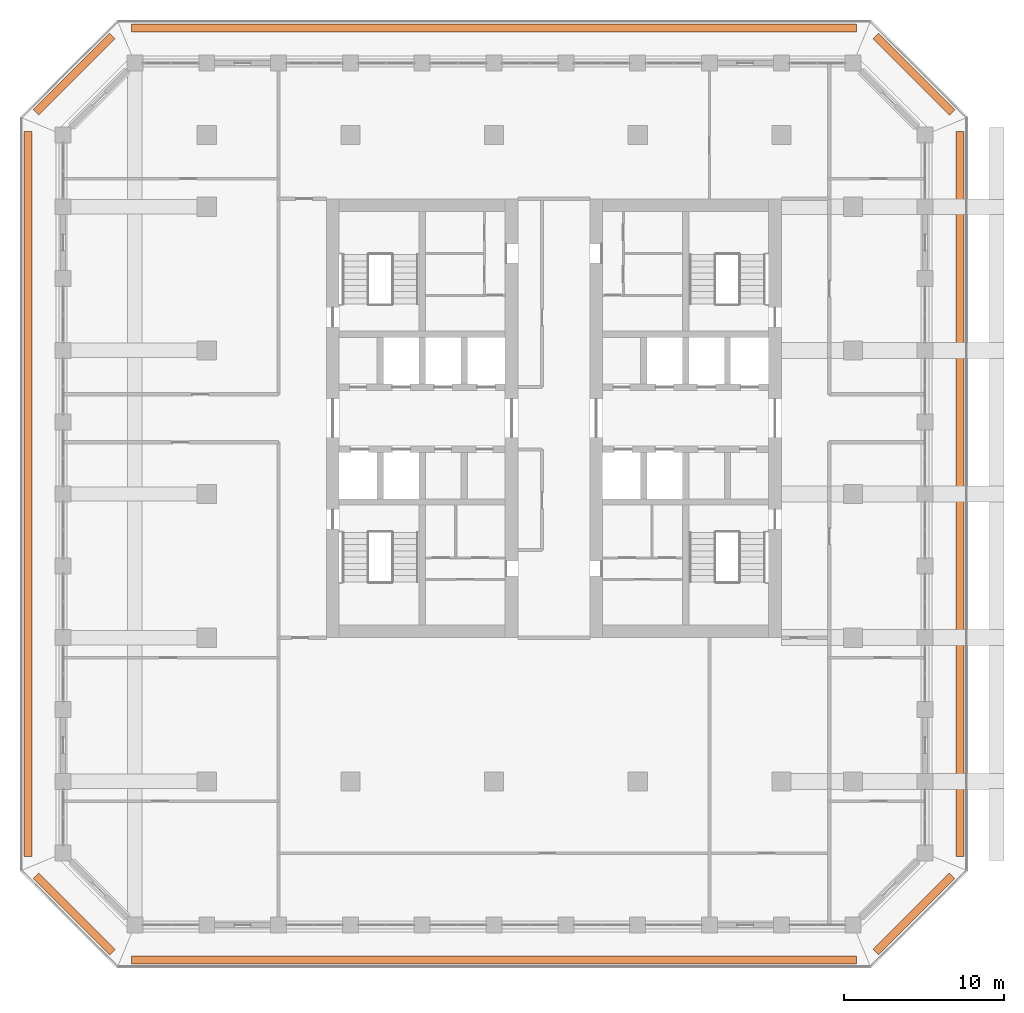
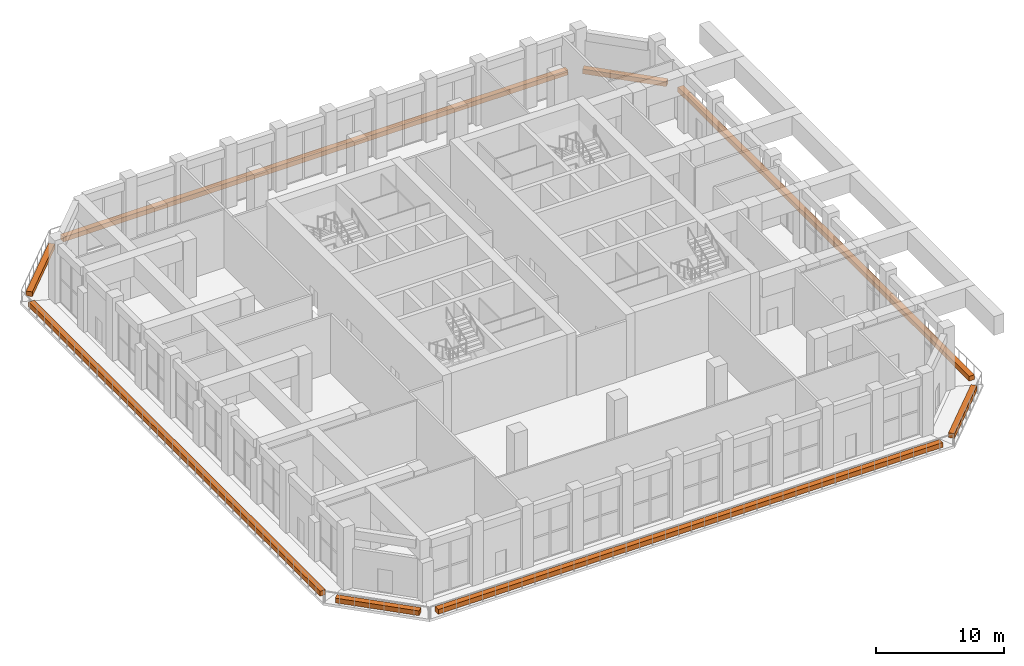
# One storey, part 25 of 25: 8 proxies.
"""IFC4 building model written with IfcOpenShell, lengths in metres."""

from ifc_helpers import new_model, si_unit, direction, frame, origin, origin_2d, place, context, subcontext, project, spatial, rectangle, extrude, material, type_object, element, save


model = new_model("IFC4")

# Units and contexts
model_context = context("Model", 3, precision=1e-05, world=origin(), true_north=direction((0.0, 1.0)))
body_context = subcontext(model_context, "Body", "Model", "MODEL_VIEW")
ifc_project = project(units=[si_unit("LENGTHUNIT", "METRE"), si_unit("AREAUNIT", "SQUARE_METRE"), si_unit("VOLUMEUNIT", "CUBIC_METRE"), si_unit("PLANEANGLEUNIT", "RADIAN"), si_unit("MASSUNIT", "GRAM", prefix="KILO")], contexts=[model_context])

# Site, building, storey
site_placement = place(None, origin())
site = spatial("IfcSite", under=ifc_project, at=site_placement, CompositionType="ELEMENT")
building_placement = place(site_placement, origin())
building = spatial("IfcBuilding", under=site, at=building_placement, Name="Corbel Stack Research Tower", CompositionType="ELEMENT")
storey_placement = place(building_placement, frame((0.0, 0.0, 185.5)))
storey = spatial("IfcBuildingStorey", under=building, at=storey_placement, Name="L42", CompositionType="ELEMENT", Elevation=185.5)

# Proxies
ifc_material = material(Name="Concrete C45/55", Category="concrete")
building_element_proxy_type = type_object("IfcBuildingElementProxyType", Name="Planter box", PredefinedType="USERDEFINED", material=ifc_material)
proxy_1_placement = place(storey_placement, frame((0.0, -29.199951171875, 0.0), z_axis=(0.0, 0.0, 1.0), x_axis=(1.0, 0.0, 0.0)))
element("IfcBuildingElementProxy", 1, at=proxy_1_placement, inside=storey, type_object=building_element_proxy_type, Name="Planter L42 S", ObjectType="PLANTER", PredefinedType="USERDEFINED", context=body_context, shape_type="SweptSolid", body=[
    extrude(rectangle(XDim=45.41064453125, YDim=0.5, at=origin_2d()), origin(), (0.0, 0.0, 1.0), 0.449951171875),
])
proxy_2_placement = place(storey_placement, frame((26.3056640625, -26.3056640625, 0.0), z_axis=(0.0, 0.0, 1.0), x_axis=(0.707106781187, 0.707106781187, 0.0)))
element("IfcBuildingElementProxy", 2, at=proxy_2_placement, inside=storey, type_object=building_element_proxy_type, Name="Planter L42 SE", ObjectType="PLANTER", PredefinedType="USERDEFINED", context=body_context, shape_type="SweptSolid", body=[
    extrude(rectangle(XDim=6.774658203125, YDim=0.5, at=origin_2d()), origin(), (0.0, 0.0, 1.0), 0.449951171875),
])
proxy_3_placement = place(storey_placement, frame((29.199951171875, 0.0, 0.0), z_axis=(0.0, 0.0, 1.0), x_axis=(0.0, 1.0, 0.0)))
element("IfcBuildingElementProxy", 3, at=proxy_3_placement, inside=storey, type_object=building_element_proxy_type, Name="Planter L42 E", ObjectType="PLANTER", PredefinedType="USERDEFINED", context=body_context, shape_type="SweptSolid", body=[
    extrude(rectangle(XDim=45.41064453125, YDim=0.5, at=origin_2d()), origin(), (0.0, 0.0, 1.0), 0.449951171875),
])
proxy_4_placement = place(storey_placement, frame((26.3056640625, 26.3056640625, 0.0), z_axis=(0.0, 0.0, 1.0), x_axis=(-0.707106781187, 0.707106781187, 0.0)))
element("IfcBuildingElementProxy", 4, at=proxy_4_placement, inside=storey, type_object=building_element_proxy_type, Name="Planter L42 NE", ObjectType="PLANTER", PredefinedType="USERDEFINED", context=body_context, shape_type="SweptSolid", body=[
    extrude(rectangle(XDim=6.774658203125, YDim=0.5, at=origin_2d()), origin(), (0.0, 0.0, 1.0), 0.449951171875),
])
proxy_5_placement = place(storey_placement, frame((0.0, 29.199951171875, 0.0), z_axis=(0.0, 0.0, 1.0), x_axis=(-1.0, 0.0, 0.0)))
element("IfcBuildingElementProxy", 5, at=proxy_5_placement, inside=storey, type_object=building_element_proxy_type, Name="Planter L42 N", ObjectType="PLANTER", PredefinedType="USERDEFINED", context=body_context, shape_type="SweptSolid", body=[
    extrude(rectangle(XDim=45.41064453125, YDim=0.5, at=origin_2d()), origin(), (0.0, 0.0, 1.0), 0.449951171875),
])
proxy_6_placement = place(storey_placement, frame((-26.3056640625, 26.3056640625, 0.0), z_axis=(0.0, 0.0, 1.0), x_axis=(-0.707106781187, -0.707106781187, 0.0)))
element("IfcBuildingElementProxy", 6, at=proxy_6_placement, inside=storey, type_object=building_element_proxy_type, Name="Planter L42 NW", ObjectType="PLANTER", PredefinedType="USERDEFINED", context=body_context, shape_type="SweptSolid", body=[
    extrude(rectangle(XDim=6.774658203125, YDim=0.5, at=origin_2d()), origin(), (0.0, 0.0, 1.0), 0.449951171875),
])
proxy_7_placement = place(storey_placement, frame((-29.199951171875, 0.0, 0.0), z_axis=(0.0, 0.0, 1.0), x_axis=(0.0, -1.0, 0.0)))
element("IfcBuildingElementProxy", 7, at=proxy_7_placement, inside=storey, type_object=building_element_proxy_type, Name="Planter L42 W", ObjectType="PLANTER", PredefinedType="USERDEFINED", context=body_context, shape_type="SweptSolid", body=[
    extrude(rectangle(XDim=45.41064453125, YDim=0.5, at=origin_2d()), origin(), (0.0, 0.0, 1.0), 0.449951171875),
])
proxy_8_placement = place(storey_placement, frame((-26.3056640625, -26.3056640625, 0.0), z_axis=(0.0, 0.0, 1.0), x_axis=(0.707106781187, -0.707106781187, 0.0)))
element("IfcBuildingElementProxy", 8, at=proxy_8_placement, inside=storey, type_object=building_element_proxy_type, Name="Planter L42 SW", ObjectType="PLANTER", PredefinedType="USERDEFINED", context=body_context, shape_type="SweptSolid", body=[
    extrude(rectangle(XDim=6.774658203125, YDim=0.5, at=origin_2d()), origin(), (0.0, 0.0, 1.0), 0.449951171875),
])

save(model, "model.ifc")
